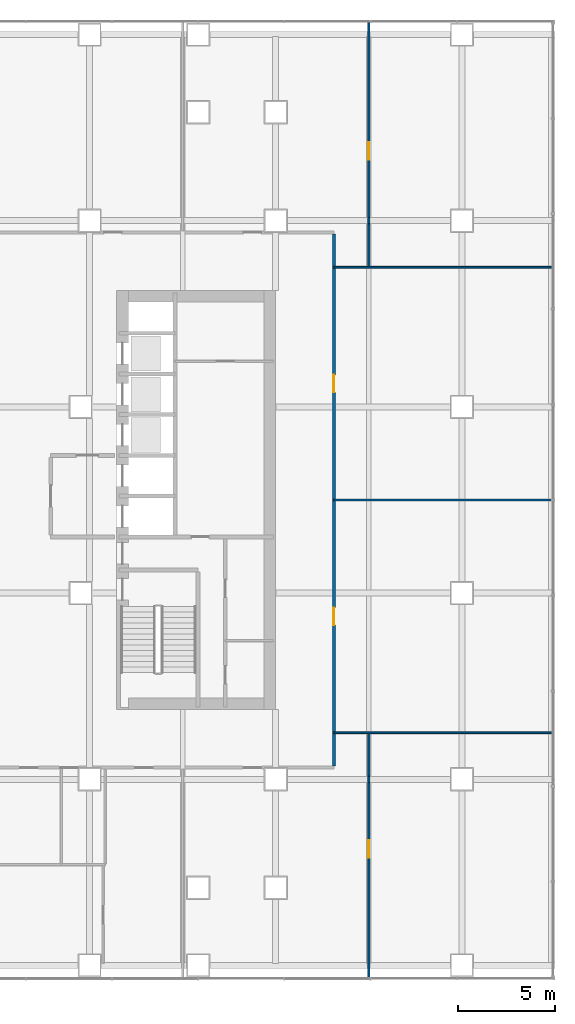
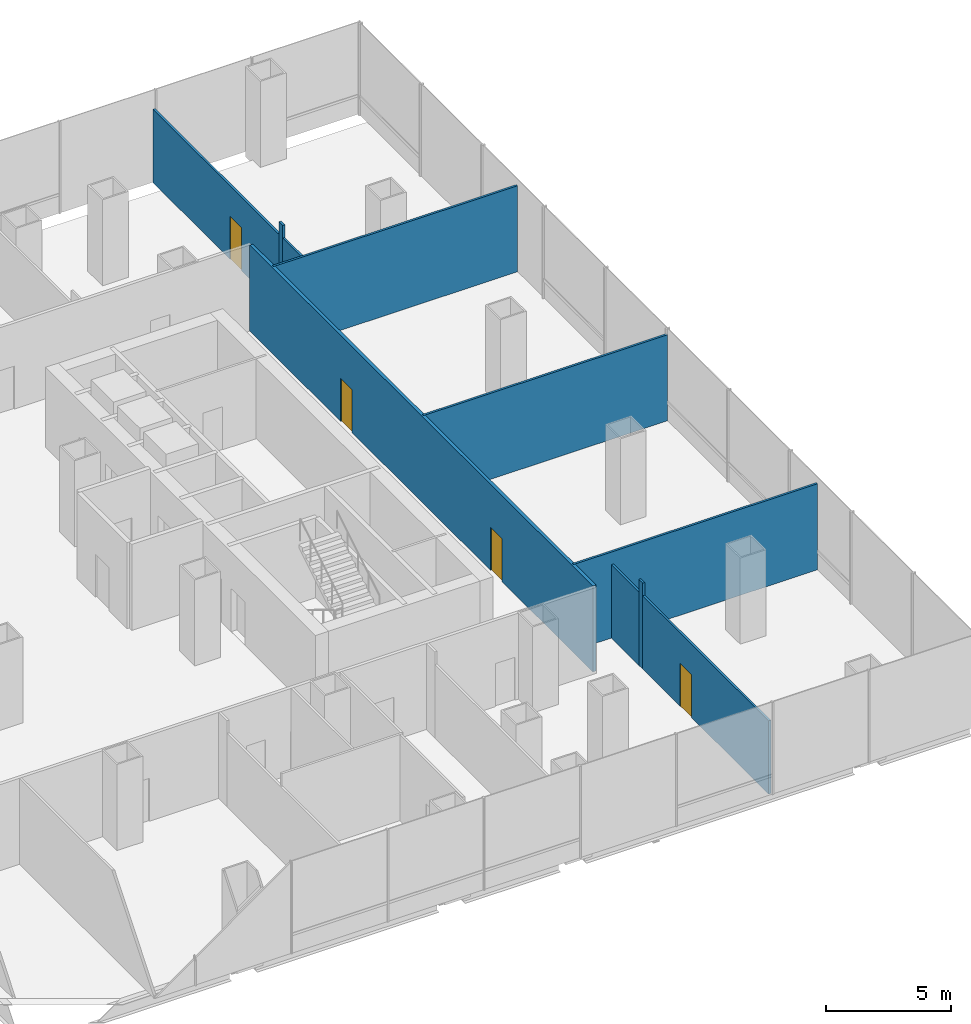
# One storey, part 20 of 23: 10 walls, 4 doors, 4 openings.
"""IFC4 building model written with IfcOpenShell, lengths in metres."""

from ifc_helpers import new_model, si_unit, direction, frame, frame_2d, origin, place, context, subcontext, project, spatial, rectangle, extrude, material, layer, layer_set, type_object, element, fill, save


model = new_model("IFC4")

# Units and contexts
model_context = context("Model", 3, precision=1e-05, world=origin(), true_north=direction((0.0, 1.0)))
body_context = subcontext(model_context, "Body", "Model", "MODEL_VIEW")
ifc_project = project(units=[si_unit("LENGTHUNIT", "METRE"), si_unit("AREAUNIT", "SQUARE_METRE"), si_unit("VOLUMEUNIT", "CUBIC_METRE"), si_unit("PLANEANGLEUNIT", "RADIAN"), si_unit("MASSUNIT", "GRAM", prefix="KILO")], contexts=[model_context])

# Site, building, storey
site_placement = place(None, origin())
site = spatial("IfcSite", under=ifc_project, at=site_placement, CompositionType="ELEMENT")
building_placement = place(site_placement, origin())
building = spatial("IfcBuilding", under=site, at=building_placement, Name="Cobrizo Arcos Hotel Tower", CompositionType="ELEMENT")
storey_placement = place(building_placement, frame((0.0, 0.0, 29.0)))
storey = spatial("IfcBuildingStorey", under=building, at=storey_placement, Name="L05", CompositionType="ELEMENT", Elevation=29.0)

# Wall, openings, doors
ifc_material_1 = material(Name="Gypsum board partition")
ifc_layer_1 = layer(ifc_material_1, 0.14990234375)
ifc_layer_set_1 = layer_set([ifc_layer_1], Name="Corridor wall EI 60 150")
wall_type_1 = type_object("IfcWallType", Name="Corridor wall EI 60 150", PredefinedType="PARTITIONING", material=ifc_layer_set_1)
wall_1_placement = place(storey_placement, frame((27.0, -13.72509765625, 0.0), z_axis=(0.0, 0.0, 1.0), x_axis=(0.0, 1.0, 0.0)))
wall_1 = element("IfcWall", 1, at=wall_1_placement, inside=storey, type_object=wall_type_1, Name="Partition 071", PredefinedType="PARTITIONING", context=body_context, shape_type="SweptSolid", body=[
    extrude(rectangle(XDim=27.4501953125, YDim=0.14990234375, at=frame_2d((13.72509765625, 0.0))), origin(), (0.0, 0.0, 1.0), 4.199951171875),
])
opening_1_placement = place(wall_1_placement, frame((7.27490234375, 0.0, 0.0)))
opening_1 = element("IfcOpeningElement", 2, at=opening_1_placement, cuts=wall_1, Name="Opening RD-20", PredefinedType="OPENING", context=body_context, shape_type="SweptSolid", body=[
    extrude(rectangle(XDim=0.89990234375, YDim=2.10009765625, at=frame_2d((0.449951171875, 1.050048828125))), frame((0.0, 0.0869140625, 0.0), z_axis=(0.0, -1.0, 0.0), x_axis=(1.0, 0.0, 0.0)), (0.0, 0.0, 1.0), 0.173828125),
])
opening_2_placement = place(wall_1_placement, frame((19.27490234375, 0.0, 0.0)))
opening_2 = element("IfcOpeningElement", 3, at=opening_2_placement, cuts=wall_1, Name="Opening RD-21", PredefinedType="OPENING", context=body_context, shape_type="SweptSolid", body=[
    extrude(rectangle(XDim=0.89990234375, YDim=2.10009765625, at=frame_2d((0.449951171875, 1.050048828125))), frame((0.0, 0.0869140625, 0.0), z_axis=(0.0, -1.0, 0.0), x_axis=(1.0, 0.0, 0.0)), (0.0, 0.0, 1.0), 0.173828125),
])
ifc_material_2 = material(Name="Timber door leaf", Category="wood")
door_type = type_object("IfcDoorType", Name="Room door FD30 900x2100", OperationType="SINGLE_SWING_LEFT", PredefinedType="DOOR", material=ifc_material_2)
door_1_placement = place(opening_1_placement, origin())
door_1 = element("IfcDoor", 4, at=door_1_placement, inside=storey, type_object=door_type, Name="Door RD-20", OperationType="SINGLE_SWING_LEFT", OverallHeight=2.10009765625, OverallWidth=0.89990234375, PredefinedType="DOOR", context=body_context, shape_type="SweptSolid", body=[
    extrude(rectangle(XDim=0.89990234375, YDim=2.10009765625, at=frame_2d((0.449951171875, 1.050048828125))), frame((0.0, 0.02490234375, 0.0), z_axis=(0.0, -1.0, 0.0), x_axis=(1.0, 0.0, 0.0)), (0.0, 0.0, 1.0), 0.050048828125),
])
fill(opening_1, door_1)
door_2_placement = place(opening_2_placement, origin())
door_2 = element("IfcDoor", 5, at=door_2_placement, inside=storey, type_object=door_type, Name="Door RD-21", OperationType="SINGLE_SWING_RIGHT", OverallHeight=2.10009765625, OverallWidth=0.89990234375, PredefinedType="DOOR", context=body_context, shape_type="SweptSolid", body=[
    extrude(rectangle(XDim=0.89990234375, YDim=2.10009765625, at=frame_2d((0.449951171875, 1.050048828125))), frame((0.0, 0.02490234375, 0.0), z_axis=(0.0, -1.0, 0.0), x_axis=(1.0, 0.0, 0.0)), (0.0, 0.0, 1.0), 0.050048828125),
])
fill(opening_2, door_2)

# Walls
ifc_layer_2 = layer(ifc_material_1, 0.10009765625)
ifc_layer_set_2 = layer_set([ifc_layer_2], Name="Partition EI 30 100")
wall_type_2 = type_object("IfcWallType", Name="Partition EI 30 100", PredefinedType="PARTITIONING", material=ifc_layer_set_2)
for number, where, z_axis, x_axis, name in (
    (6, (27.0, -12.0, 0.0), (0.0, 0.0, 1.0), (1.0, 0.0, 0.0), "Partition 004"),
    (7, (27.0, 0.0, 0.0), (0.0, 0.0, 1.0), (1.0, 0.0, 0.0), "Partition 014"),
    (8, (27.0, 12.0, 0.0), (0.0, 0.0, 1.0), (1.0, 0.0, 0.0), "Partition 030"),
):
    element("IfcWall", number, at=place(storey_placement, frame(where, z_axis=z_axis, x_axis=x_axis)), inside=storey, type_object=wall_type_2, Name=name, PredefinedType="PARTITIONING", context=body_context, shape_type="SweptSolid", body=[
        extrude(rectangle(XDim=11.280029296875, YDim=0.10009765625, at=frame_2d((5.64013671875, 0.0))), origin(), (0.0, 0.0, 1.0), 4.199951171875),
    ])

# Wall, opening, door
wall_2_placement = place(storey_placement, frame((28.800048828125, -24.6298828125, 0.0), z_axis=(0.0, 0.0, 1.0), x_axis=(0.0, 1.0, 0.0)))
wall_2 = element("IfcWall", 9, at=wall_2_placement, inside=storey, type_object=wall_type_2, Name="Partition 072", PredefinedType="PARTITIONING", context=body_context, shape_type="SweptSolid", body=[
    extrude(rectangle(XDim=10.076171875, YDim=0.10009765625, at=frame_2d((5.0380859375, 0.0))), origin(), (0.0, 0.0, 1.0), 3.5830078125),
])
opening_3_placement = place(wall_2_placement, frame((6.179931640625, 0.0, 0.0)))
opening_3 = element("IfcOpeningElement", 10, at=opening_3_placement, cuts=wall_2, Name="Opening RD-29", PredefinedType="OPENING", context=body_context, shape_type="SweptSolid", body=[
    extrude(rectangle(XDim=0.89990234375, YDim=2.10009765625, at=frame_2d((0.449951171875, 1.050048828125))), frame((0.0, 0.06201171875, 0.0), z_axis=(0.0, -1.0, 0.0), x_axis=(1.0, 0.0, 0.0)), (0.0, 0.0, 1.0), 0.1240234375),
])
door_3_placement = place(opening_3_placement, origin())
door_3 = element("IfcDoor", 11, at=door_3_placement, inside=storey, type_object=door_type, Name="Door RD-29", OperationType="SINGLE_SWING_LEFT", OverallHeight=2.10009765625, OverallWidth=0.89990234375, PredefinedType="DOOR", context=body_context, shape_type="SweptSolid", body=[
    extrude(rectangle(XDim=0.89990234375, YDim=2.10009765625, at=frame_2d((0.449951171875, 1.050048828125))), frame((0.0, 0.02490234375, 0.0), z_axis=(0.0, -1.0, 0.0), x_axis=(1.0, 0.0, 0.0)), (0.0, 0.0, 1.0), 0.050048828125),
])
fill(opening_3, door_3)

# Walls
wall_3_placement = place(storey_placement, frame((28.800048828125, -14.553955078125, 0.0), z_axis=(0.0, 0.0, 1.0), x_axis=(0.0, 1.0, 0.0)))
element("IfcWall", 12, at=wall_3_placement, inside=storey, type_object=wall_type_2, Name="Partition 073", PredefinedType="PARTITIONING", context=body_context, shape_type="SweptSolid", body=[
    extrude(rectangle(XDim=0.307861328125, YDim=0.10009765625, at=frame_2d((0.15380859375, 0.0))), origin(), (0.0, 0.0, 1.0), 4.199951171875),
])
for number, where, z_axis, x_axis, name in (
    (13, (28.800048828125, -14.24609375, 0.0), (0.0, 0.0, 1.0), (0.0, 1.0, 0.0), "Partition 074"),
    (14, (28.800048828125, 12.050048828125, 0.0), (0.0, 0.0, 1.0), (0.0, 1.0, 0.0), "Partition 075"),
):
    element("IfcWall", number, at=place(storey_placement, frame(where, z_axis=z_axis, x_axis=x_axis)), inside=storey, type_object=wall_type_2, Name=name, PredefinedType="PARTITIONING", context=body_context, shape_type="SweptSolid", body=[
        extrude(rectangle(XDim=2.196044921875, YDim=0.10009765625, at=frame_2d((1.09814453125, 0.0))), origin(), (0.0, 0.0, 1.0), 3.5830078125),
    ])
wall_4_placement = place(storey_placement, frame((28.800048828125, 14.24609375, 0.0), z_axis=(0.0, 0.0, 1.0), x_axis=(0.0, 1.0, 0.0)))
element("IfcWall", 15, at=wall_4_placement, inside=storey, type_object=wall_type_2, Name="Partition 076", PredefinedType="PARTITIONING", context=body_context, shape_type="SweptSolid", body=[
    extrude(rectangle(XDim=0.307861328125, YDim=0.10009765625, at=frame_2d((0.15380859375, 0.0))), origin(), (0.0, 0.0, 1.0), 4.199951171875),
])

# Wall, opening, door
wall_5_placement = place(storey_placement, frame((28.800048828125, 14.5537109375, 0.0), z_axis=(0.0, 0.0, 1.0), x_axis=(0.0, 1.0, 0.0)))
wall_5 = element("IfcWall", 16, at=wall_5_placement, inside=storey, type_object=wall_type_2, Name="Partition 077", PredefinedType="PARTITIONING", context=body_context, shape_type="SweptSolid", body=[
    extrude(rectangle(XDim=10.076171875, YDim=0.10009765625, at=frame_2d((5.0380859375, 0.0))), origin(), (0.0, 0.0, 1.0), 3.5830078125),
])
opening_4_placement = place(wall_5_placement, frame((2.99609375, 0.0, 0.0)))
opening_4 = element("IfcOpeningElement", 17, at=opening_4_placement, cuts=wall_5, Name="Opening RD-30", PredefinedType="OPENING", context=body_context, shape_type="SweptSolid", body=[
    extrude(rectangle(XDim=0.89990234375, YDim=2.10009765625, at=frame_2d((0.449951171875, 1.050048828125))), frame((0.0, 0.06201171875, 0.0), z_axis=(0.0, -1.0, 0.0), x_axis=(1.0, 0.0, 0.0)), (0.0, 0.0, 1.0), 0.1240234375),
])
door_4_placement = place(opening_4_placement, origin())
door_4 = element("IfcDoor", 18, at=door_4_placement, inside=storey, type_object=door_type, Name="Door RD-30", OperationType="SINGLE_SWING_RIGHT", OverallHeight=2.10009765625, OverallWidth=0.89990234375, PredefinedType="DOOR", context=body_context, shape_type="SweptSolid", body=[
    extrude(rectangle(XDim=0.89990234375, YDim=2.10009765625, at=frame_2d((0.449951171875, 1.050048828125))), frame((0.0, 0.02490234375, 0.0), z_axis=(0.0, -1.0, 0.0), x_axis=(1.0, 0.0, 0.0)), (0.0, 0.0, 1.0), 0.050048828125),
])
fill(opening_4, door_4)

save(model, "model.ifc")
